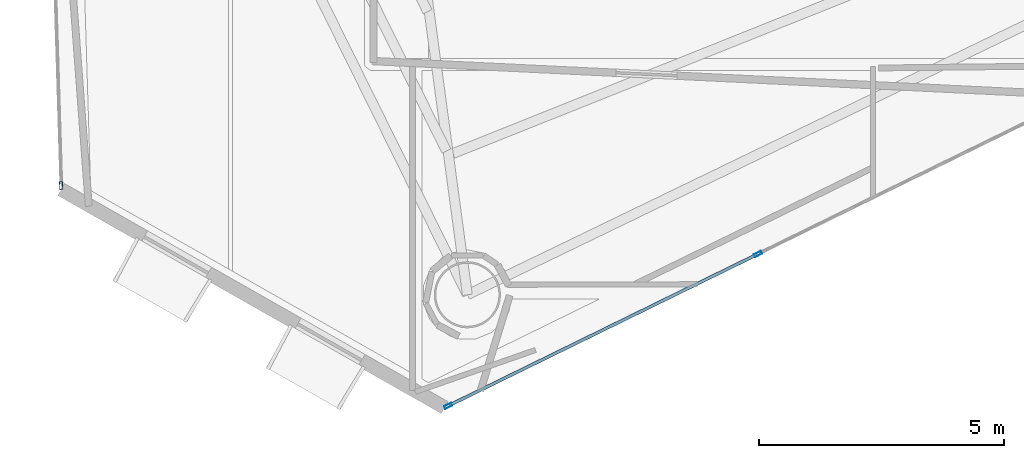
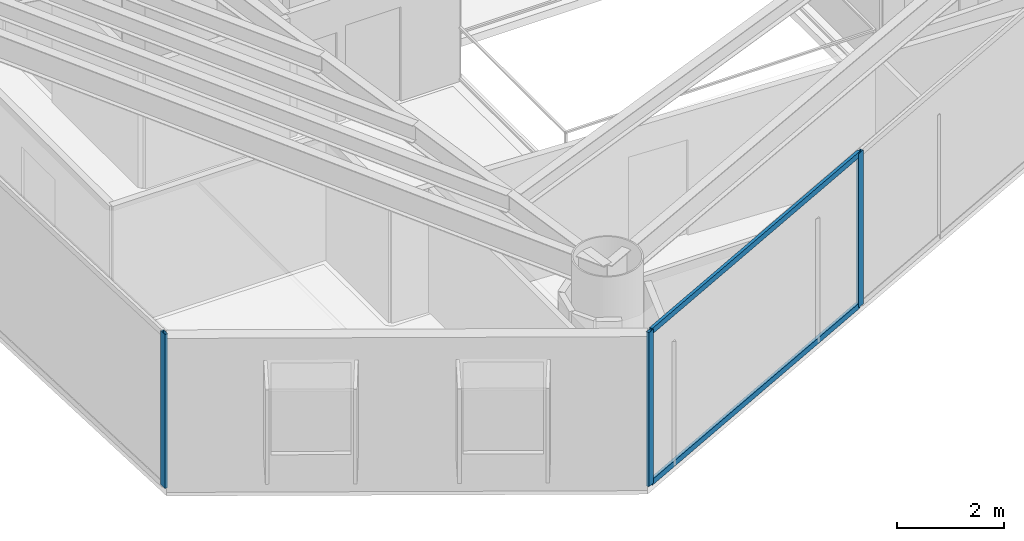
# One storey, part 2 of 23: 5 members, 2 elements without a shape of their own.
"""IFC4 building model written with IfcOpenShell, lengths in metres."""

from ifc_helpers import new_model, si_unit, direction, frame, origin, origin_2d, place, context, subcontext, project, spatial, hollow_rectangle, extrude, material, layer, layer_set, material_profile, profile_set, type_object, element, aggregate, save


model = new_model("IFC4")

# Units and contexts
model_context = context("Model", 3, precision=1e-05, world=origin(), true_north=direction((0.0, 1.0)))
body_context = subcontext(model_context, "Body", "Model", "MODEL_VIEW")
ifc_project = project(units=[si_unit("LENGTHUNIT", "METRE"), si_unit("AREAUNIT", "SQUARE_METRE"), si_unit("VOLUMEUNIT", "CUBIC_METRE"), si_unit("PLANEANGLEUNIT", "RADIAN"), si_unit("MASSUNIT", "GRAM", prefix="KILO")], contexts=[model_context])

# Site, building, storey
site_placement = place(None, origin())
site = spatial("IfcSite", under=ifc_project, at=site_placement, CompositionType="ELEMENT")
building_placement = place(site_placement, origin())
building = spatial("IfcBuilding", under=site, at=building_placement, Name="Qianvela Tower", CompositionType="ELEMENT")
storey_placement = place(building_placement, frame((0.0, 0.0, 162.39990234375)))
storey = spatial("IfcBuildingStorey", under=building, at=storey_placement, Name="L41", CompositionType="ELEMENT", Elevation=162.39990234375)

# Curtain wall, member
ifc_material_1 = material(Name="Anodised Architectural Aluminium and Low-E Glass", Category="aluminium")
ifc_layer = layer(ifc_material_1, 0.169921875)
ifc_layer_set = layer_set([ifc_layer], Name="Anodised Architectural Aluminium and Low-E Glass")
curtain_wall_type = type_object("IfcCurtainWallType", Name="CW-COLIV-Z34", PredefinedType="USERDEFINED", material=ifc_layer_set)
curtain_wall_1_placement = place(storey_placement, origin())
curtain_wall_1 = element("IfcCurtainWall", 1, at=curtain_wall_1_placement, inside=storey, type_object=curtain_wall_type, Name="L41 CW-COLIV-Z34 Curtain Wall 04C", ObjectType="CURTAIN_WALL_SYSTEM", PredefinedType="USERDEFINED")
ifc_material_2 = material(Name="Anodised Architectural Aluminium 6063-T6", Category="aluminium")
ifc_material_profile_1 = material_profile(ifc_material_2, hollow_rectangle(XDim=0.06494140625, YDim=0.159912109375, WallThickness=0.0048828125, at=origin_2d()), Name="ALU-MULL-65x160")
ifc_profile_set_1 = profile_set([ifc_material_profile_1], Name="Anodised Architectural Aluminium 6063-T6")
member_type_1 = type_object("IfcMemberType", Name="CW-COLIV-Z34-MULL", PredefinedType="MULLION", material=ifc_profile_set_1)
member_1_placement = place(storey_placement, frame((22.053955078125, 13.138671875, 0.0), z_axis=(0.0, 0.0, 1.0), x_axis=(0.999528047794, 0.030719402241, 0.0)))
member_1 = element("IfcMember", 2, at=member_1_placement, type_object=member_type_1, Name="CW-4 mullion 2", PredefinedType="MULLION", context=body_context, shape_type="SweptSolid", body=[
    extrude(hollow_rectangle(XDim=0.06494140625, YDim=0.159912109375, WallThickness=0.0048828125, at=origin_2d()), origin(), (0.0, 0.0, 1.0), 3.52001953125),
])
aggregate(curtain_wall_1, [member_1])

# Curtain wall, members
curtain_wall_2_placement = place(storey_placement, origin())
curtain_wall_2 = element("IfcCurtainWall", 3, at=curtain_wall_2_placement, inside=storey, type_object=curtain_wall_type, Name="L41 CW-COLIV-Z34 Curtain Wall 06A", ObjectType="CURTAIN_WALL_SYSTEM", PredefinedType="USERDEFINED")
member_2_placement = place(storey_placement, frame((29.957275390625, 8.641357421875, 0.0), z_axis=(0.0, 0.0, 1.0), x_axis=(-0.440141016872, 0.897928663796, 0.0)))
member_2 = element("IfcMember", 4, at=member_2_placement, type_object=member_type_1, Name="CW-4 mullion 1", PredefinedType="MULLION", context=body_context, shape_type="SweptSolid", body=[
    extrude(hollow_rectangle(XDim=0.06494140625, YDim=0.159912109375, WallThickness=0.0048828125, at=origin_2d()), origin(), (0.0, 0.0, 1.0), 3.52001953125),
])
member_3_placement = place(storey_placement, frame((36.281005859375, 11.7412109375, 0.0), z_axis=(0.0, 0.0, 1.0), x_axis=(-0.440141016872, 0.897928663796, 0.0)))
member_3 = element("IfcMember", 5, at=member_3_placement, type_object=member_type_1, Name="CW-4 mullion 2", PredefinedType="MULLION", context=body_context, shape_type="SweptSolid", body=[
    extrude(hollow_rectangle(XDim=0.06494140625, YDim=0.159912109375, WallThickness=0.0048828125, at=origin_2d()), origin(), (0.0, 0.0, 1.0), 3.52001953125),
])
ifc_material_3 = material(Name="Anodised Architectural Aluminium 6063-T6", Category="aluminium")
ifc_material_profile_2 = material_profile(ifc_material_3, hollow_rectangle(XDim=0.06494140625, YDim=0.1298828125, WallThickness=0.00439453125, at=origin_2d()), Name="ALU-TRAN-65x130")
ifc_profile_set_2 = profile_set([ifc_material_profile_2], Name="Anodised Architectural Aluminium 6063-T6")
member_type_2 = type_object("IfcMemberType", Name="CW-COLIV-Z34-TRAN", PredefinedType="USERDEFINED", material=ifc_profile_set_2)
member_4_placement = place(storey_placement, frame((29.986572265625, 8.65576171875, 0.03271484375), z_axis=(0.897933195342, 0.440131771976, 0.0), x_axis=(-0.440131771976, 0.897933195342, 0.0)))
member_4 = element("IfcMember", 6, at=member_4_placement, type_object=member_type_2, Name="CW-4 transom 1.1", ObjectType="TRANSOM", PredefinedType="USERDEFINED", context=body_context, shape_type="SweptSolid", body=[
    extrude(hollow_rectangle(XDim=0.06494140625, YDim=0.1298828125, WallThickness=0.00439453125, at=origin_2d()), origin(), (0.0, 0.0, 1.0), 6.9775390625),
])
member_5_placement = place(storey_placement, frame((29.986572265625, 8.65576171875, 3.487548828125), z_axis=(0.897933195342, 0.440131771976, 0.0), x_axis=(-0.440131771976, 0.897933195342, 0.0)))
member_5 = element("IfcMember", 7, at=member_5_placement, type_object=member_type_2, Name="CW-4 transom 1.2", ObjectType="TRANSOM", PredefinedType="USERDEFINED", context=body_context, shape_type="SweptSolid", body=[
    extrude(hollow_rectangle(XDim=0.06494140625, YDim=0.1298828125, WallThickness=0.00439453125, at=origin_2d()), origin(), (0.0, 0.0, 1.0), 6.9775390625),
])
aggregate(curtain_wall_2, [member_2, member_3, member_4, member_5])

save(model, "model.ifc")
